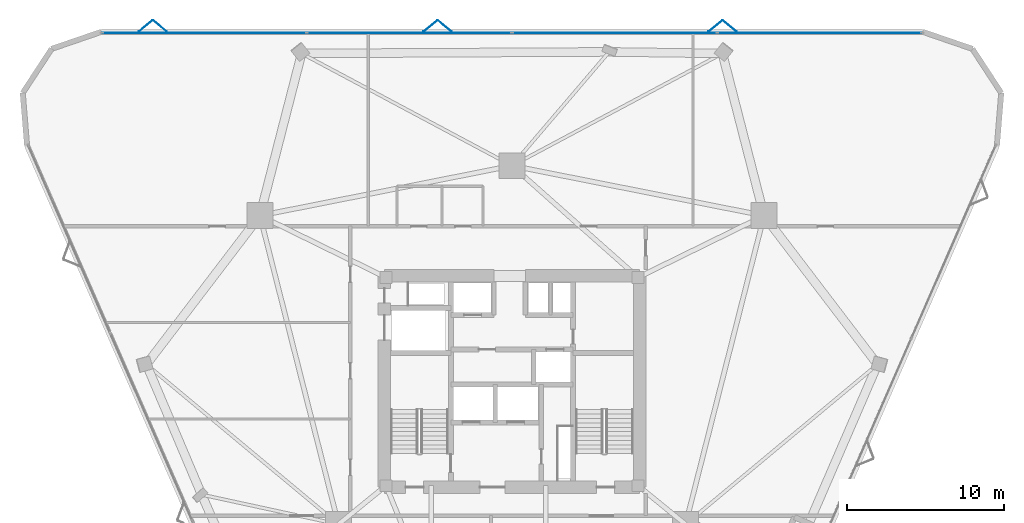
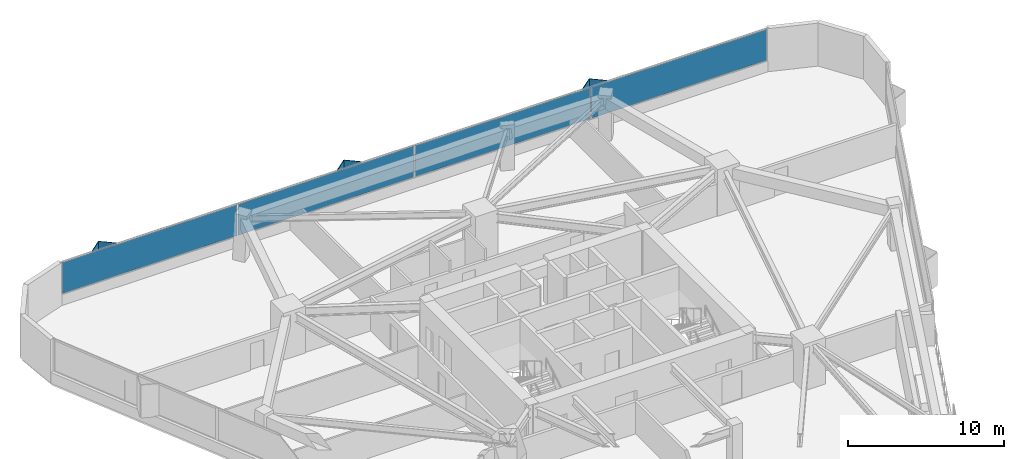
# One storey, part 11 of 14: 10 plates, 1 element without a shape of its own.
"""IFC4 building model written with IfcOpenShell, lengths in metres."""

import ifcopenshell
import ifcopenshell.guid

model = None  # the IFC model being written
_history = None  # IfcOwnerHistory: only IFC2X3 demands one
_inside = {}  # id of a spatial element -> (the spatial element, [elements in it])
_under = {}  # id of a project, library or spatial element -> (it, [spatial elements below it])
_declared = {}  # id of a project -> (the project, [libraries it declares])
_typed = {}  # id of a type object -> (the type object, [elements of that type])
_made_of = {}  # id of a material, layer set ... -> (it, [elements and type objects made of it])


def new_model(schema):
    """Start an empty IFC model of exactly this schema.

    Asked for "IFC4X3", IfcOpenShell would pick the latest addendum, in which some entities
    have other attributes; the version numbers below select the first issue.
    IFC2X3 requires an IfcOwnerHistory on every rooted entity: one is made here for all.
    """
    global model, _history
    if schema == "IFC4X3":
        model = ifcopenshell.file(schema_version=(4, 3, 0, 0))
    else:
        model = ifcopenshell.file(schema=schema)
    _inside.clear()
    _under.clear()
    _declared.clear()
    _typed.clear()
    _made_of.clear()
    _history = None
    if model.schema == "IFC2X3":
        org = make("IfcOrganization", Name="unknown")
        user = make(
            "IfcPersonAndOrganization",
            ThePerson=make("IfcPerson", FamilyName="unknown"),
            TheOrganization=org,
        )
        app = make(
            "IfcApplication",
            ApplicationDeveloper=org,
            Version="unknown",
            ApplicationFullName="unknown",
            ApplicationIdentifier="unknown",
        )
        _history = make(
            "IfcOwnerHistory",
            OwningUser=user,
            OwningApplication=app,
            ChangeAction="ADDED",
            CreationDate=0,
        )
    return model


def make(cls, **values):
    """One entity of the class cls with the attributes given. An attribute that is None is left unset."""
    return model.create_entity(
        cls, **{name: value for name, value in values.items() if value is not None}
    )


def rooted(cls, **values):
    """An entity with a GlobalId (a new one), such as an element, a storey or a relation."""
    return make(cls, GlobalId=ifcopenshell.guid.new(), OwnerHistory=_history, **values)


def si_unit(unit_type, name, prefix=None):
    """IfcSIUnit, for example si_unit("LENGTHUNIT", "METRE", prefix="MILLI")."""
    return make("IfcSIUnit", UnitType=unit_type, Prefix=prefix, Name=name)


def assignment(units):
    """IfcUnitAssignment: the units of a project."""
    return None if units is None else make("IfcUnitAssignment", Units=units)


def point(xyz):
    """IfcCartesianPoint."""
    return None if xyz is None else make("IfcCartesianPoint", Coordinates=xyz)


def direction(xyz):
    """IfcDirection."""
    return None if xyz is None else make("IfcDirection", DirectionRatios=xyz)


def frame(location, z_axis=None, x_axis=None):
    """IfcAxis2Placement3D, a coordinate frame: its origin and axes. An axis left out is left unset."""
    return make(
        "IfcAxis2Placement3D",
        Location=point(location),
        Axis=direction(z_axis),
        RefDirection=direction(x_axis),
    )


def frame_2d(location, x_axis=None):
    """IfcAxis2Placement2D, a coordinate frame in the plane: its origin and x axis."""
    return make(
        "IfcAxis2Placement2D", Location=point(location), RefDirection=direction(x_axis)
    )


def origin():
    """The frame at (0, 0, 0) with its axes left unset."""
    return frame((0.0, 0.0, 0.0))


def origin_2d():
    """The frame at (0, 0) in the plane with its x axis left unset."""
    return frame_2d((0.0, 0.0))


def place(relative_to, where):
    """IfcLocalPlacement: puts the frame where relative to a parent placement (None: the world)."""
    return make(
        "IfcLocalPlacement", PlacementRelTo=relative_to, RelativePlacement=where
    )


def context(
    kind, dimensions, precision=None, world=None, true_north=None, identifier=None
):
    """IfcGeometricRepresentationContext, for example the 3D "Model" context."""
    return make(
        "IfcGeometricRepresentationContext",
        ContextIdentifier=identifier,
        ContextType=kind,
        CoordinateSpaceDimension=dimensions,
        Precision=precision,
        WorldCoordinateSystem=world,
        TrueNorth=true_north,
    )


def subcontext(parent, identifier, kind, view, scale=None):
    """IfcGeometricRepresentationSubContext, for example "Body" below "Model"."""
    return make(
        "IfcGeometricRepresentationSubContext",
        ContextIdentifier=identifier,
        ContextType=kind,
        ParentContext=parent,
        TargetScale=scale,
        TargetView=view,
    )


def project(units=None, contexts=None):
    """IfcProject with its units and contexts."""
    return rooted(
        "IfcProject",
        Name="project",
        RepresentationContexts=contexts,
        UnitsInContext=assignment(units),
    )


def spatial(cls, under=None, at=None, **own):
    """A site, building, storey or space (cls), placed at a placement, below another one or the project."""
    s = rooted(cls, ObjectPlacement=at, **own)
    if under is not None:
        _under.setdefault(under.id(), (under, []))[1].append(s)
    return s


def profile(cls, at=None, kind="AREA", **sizes):
    """A parametric profile (cls). Its sizes go by their IFC names, for example OverallWidth=200.0."""
    return make(cls, ProfileType=kind, Position=at, **sizes)


def rectangle(**sizes):
    """IfcRectangleProfileDef."""
    return profile("IfcRectangleProfileDef", **sizes)


def extrude(swept, where, along, depth):
    """IfcExtrudedAreaSolid: the profile swept, set in the frame where, extruded along a direction by depth."""
    return make(
        "IfcExtrudedAreaSolid",
        SweptArea=swept,
        Position=where,
        ExtrudedDirection=direction(along),
        Depth=depth,
    )


def shape(context_of_items, identifier, shape_type, items):
    """IfcShapeRepresentation: the items that make up one representation, for example the "Body"."""
    return make(
        "IfcShapeRepresentation",
        ContextOfItems=context_of_items,
        RepresentationIdentifier=identifier,
        RepresentationType=shape_type,
        Items=items,
    )


def material(Name=None, Category=None):
    """IfcMaterial."""
    return make("IfcMaterial", Name=Name, Category=Category)


def layer(
    of_material, thickness, ventilated=None, Name=None, Category=None, Priority=None
):
    """IfcMaterialLayer: one layer of a wall or slab, of a material (None: an air gap)."""
    return make(
        "IfcMaterialLayer",
        Material=of_material,
        LayerThickness=thickness,
        IsVentilated=ventilated,
        Name=Name,
        Category=Category,
        Priority=Priority,
    )


def layer_set(layers, Name=None):
    """IfcMaterialLayerSet."""
    return make("IfcMaterialLayerSet", MaterialLayers=layers, LayerSetName=Name)


def made_of(thing, what):
    """Note that an element or type object is made of a material, layer set ...; save() writes the relation."""
    if what is not None:
        _made_of.setdefault(what.id(), (what, []))[1].append(thing)
    return thing


def type_object(cls, material=None, **own):
    """A type object (cls), such as IfcWallType, which elements share."""
    return made_of(rooted(cls, **own), material)


def element(
    cls,
    number,
    at=None,
    inside=None,
    cuts=None,
    type_object=None,
    material=None,
    context=None,
    identifier="Body",
    shape_type=None,
    held_by="IfcProductDefinitionShape",
    body=None,
    shapes=None,
    **own,
):
    """One element of the class cls, such as IfcWall. Its Tag is "e" and its number.

    at: its placement. inside: the storey or other place that contains it. cuts: it is an
    opening in that element (IfcRelVoidsElement). A single representation is given by context,
    identifier, shape_type and body (its items); several are given by shapes. held_by: the class
    of the entity that holds the representations. save() writes the other relations.
    """
    e = rooted(cls, Tag="e%d" % number, ObjectPlacement=at, **own)
    if body is not None:
        shapes = [shape(context, identifier, shape_type, body)]
    if shapes is not None:
        e.Representation = make(held_by, Representations=shapes)
    if inside is not None:
        _inside.setdefault(inside.id(), (inside, []))[1].append(e)
    if cuts is not None:
        rooted(
            "IfcRelVoidsElement", RelatingBuildingElement=cuts, RelatedOpeningElement=e
        )
    if type_object is not None:
        _typed.setdefault(type_object.id(), (type_object, []))[1].append(e)
    return made_of(e, material)


def aggregate(whole, parts):
    """IfcRelAggregates: a whole, such as a stair, and the parts it consists of."""
    return rooted("IfcRelAggregates", RelatingObject=whole, RelatedObjects=parts)


def save(model, path):
    """Write the relations noted so far, then the file.

    IfcRelAggregates (storeys below a building ...), IfcRelContainedInSpatialStructure (elements
    in a storey), IfcRelDefinesByType, IfcRelAssociatesMaterial and IfcRelDeclares: one each for
    every whole, place, type object, material and project.
    """
    for whole, parts in _under.values():
        aggregate(whole, parts)
    for where, things in _inside.values():
        rooted(
            "IfcRelContainedInSpatialStructure",
            RelatedElements=things,
            RelatingStructure=where,
        )
    for kind, things in _typed.values():
        rooted("IfcRelDefinesByType", RelatedObjects=things, RelatingType=kind)
    for what, things in _made_of.values():
        rooted("IfcRelAssociatesMaterial", RelatedObjects=things, RelatingMaterial=what)
    for by, libraries in _declared.values():
        rooted("IfcRelDeclares", RelatingContext=by, RelatedDefinitions=libraries)
    model.write(path)


model = new_model("IFC4")

# Units and contexts
model_context = context("Model", 3, precision=1e-05, world=origin(), true_north=direction((0.0, 1.0)))
body_context = subcontext(model_context, "Body", "Model", "MODEL_VIEW")
ifc_project = project(units=[si_unit("LENGTHUNIT", "METRE"), si_unit("AREAUNIT", "SQUARE_METRE"), si_unit("VOLUMEUNIT", "CUBIC_METRE"), si_unit("PLANEANGLEUNIT", "RADIAN"), si_unit("MASSUNIT", "GRAM", prefix="KILO")], contexts=[model_context])

# Site, building, storey
site_placement = place(None, origin())
site = spatial("IfcSite", under=ifc_project, at=site_placement, CompositionType="ELEMENT")
building_placement = place(site_placement, origin())
building = spatial("IfcBuilding", under=site, at=building_placement, Name="Talyreon Biosciences Tower", CompositionType="ELEMENT")
storey_placement = place(building_placement, frame((0.0, 0.0, 96.89990234375)))
storey = spatial("IfcBuildingStorey", under=building, at=storey_placement, Name="L25", CompositionType="ELEMENT", Elevation=96.89990234375)

# Curtain wall, plates
ifc_material_1 = material(Name="Thermally broken aluminium and low-E glazing", Category="aluminium")
ifc_layer_1 = layer(ifc_material_1, 0.205078125)
ifc_layer_set_1 = layer_set([ifc_layer_1], Name="Thermally broken aluminium and low-E glazing")
curtain_wall_type = type_object("IfcCurtainWallType", Name="CurtainWall_SkyGardenLoggia", PredefinedType="NOTDEFINED", material=ifc_layer_set_1)
curtain_wall_placement = place(storey_placement, origin())
curtain_wall = element("IfcCurtainWall", 1, at=curtain_wall_placement, inside=storey, type_object=curtain_wall_type, Name="L25 Unitised Curtain Wall FCW-L25-03", PredefinedType="NOTDEFINED")
ifc_material_2 = material(Name="Acoustic laminated low-E insulated glazing", Category="glass")
ifc_layer_2 = layer(ifc_material_2, 0.0380859375)
ifc_layer_set_2 = layer_set([ifc_layer_2], Name="Acoustic laminated low-E insulated glazing")
plate_type_1 = type_object("IfcPlateType", Name="CWGlazingPanel_38", PredefinedType="CURTAIN_PANEL", material=ifc_layer_set_2)
plate_1_placement = place(storey_placement, frame((46.354248046875, 90.2734375, 0.875), z_axis=(0.0, 0.0, 1.0), x_axis=(1.0, 0.0, 0.0)))
plate_1 = element("IfcPlate", 2, at=plate_1_placement, type_object=plate_type_1, Name="CW7 panel 1.1", PredefinedType="CURTAIN_PANEL", context=body_context, shape_type="SweptSolid", body=[
    extrude(rectangle(XDim=12.9970703125, YDim=0.0380859375, at=origin_2d()), origin(), (0.0, 0.0, 1.0), 2.43505859375),
])
plate_2_placement = place(storey_placement, frame((59.445068359375, 90.2734375, 0.875), z_axis=(0.0, 0.0, 1.0), x_axis=(1.0, 0.0, 0.0)))
plate_2 = element("IfcPlate", 3, at=plate_2_placement, type_object=plate_type_1, Name="CW7 panel 2.1", PredefinedType="CURTAIN_PANEL", context=body_context, shape_type="SweptSolid", body=[
    extrude(rectangle(XDim=13.03466796875, YDim=0.0380859375, at=origin_2d()), origin(), (0.0, 0.0, 1.0), 2.43505859375),
])
plate_3_placement = place(storey_placement, frame((72.554931640625, 90.2734375, 0.875), z_axis=(0.0, 0.0, 1.0), x_axis=(1.0, 0.0, 0.0)))
plate_3 = element("IfcPlate", 4, at=plate_3_placement, type_object=plate_type_1, Name="CW7 panel 3.1", PredefinedType="CURTAIN_PANEL", context=body_context, shape_type="SweptSolid", body=[
    extrude(rectangle(XDim=13.03466796875, YDim=0.0380859375, at=origin_2d()), origin(), (0.0, 0.0, 1.0), 2.43505859375),
])
plate_4_placement = place(storey_placement, frame((85.645751953125, 90.2734375, 0.875), z_axis=(0.0, 0.0, 1.0), x_axis=(1.0, 0.0, 0.0)))
plate_4 = element("IfcPlate", 5, at=plate_4_placement, type_object=plate_type_1, Name="CW7 panel 4.1", PredefinedType="CURTAIN_PANEL", context=body_context, shape_type="SweptSolid", body=[
    extrude(rectangle(XDim=12.9970703125, YDim=0.0380859375, at=origin_2d()), origin(), (0.0, 0.0, 1.0), 2.43505859375),
])
aggregate(curtain_wall, [plate_1, plate_2, plate_3, plate_4])

# Plates
ifc_material_3 = material(Name="Ivory GFRC sunshade panel", Category="concrete")
ifc_layer_3 = layer(ifc_material_3, 0.044921875)
ifc_layer_set_3 = layer_set([ifc_layer_3], Name="Ivory GFRC sunshade panel")
plate_type_2 = type_object("IfcPlateType", Name="FoldedVSunshade_NorthFace_SUNSHADE", PredefinedType="USERDEFINED", material=ifc_layer_set_3)
for number, where, z_axis, x_axis, name in (
    (6, (42.6005859375, 90.71337890625, 0.7900390625), (0.0, 0.0, 1.0), (0.771624583388, 0.636078220278, 0.0), "L25 Folded V-Sunshade Panel 03.01L"),
    (7, (43.500732421875, 90.71337890625, 0.7900390625), (0.0, 0.0, 1.0), (0.771624583388, -0.636078220278, 0.0), "L25 Folded V-Sunshade Panel 03.01R"),
    (8, (60.80078125, 90.71337890625, 0.7900390625), (0.0, 0.0, 1.0), (0.771624583388, 0.636078220278, 0.0), "L25 Folded V-Sunshade Panel 03.02L"),
    (9, (61.70068359375, 90.71337890625, 0.7900390625), (0.0, 0.0, 1.0), (0.771624583388, -0.636078220278, 0.0), "L25 Folded V-Sunshade Panel 03.02R"),
    (10, (79.000732421875, 90.71337890625, 0.7900390625), (0.0, 0.0, 1.0), (0.771624583388, 0.636078220278, 0.0), "L25 Folded V-Sunshade Panel 03.03L"),
    (11, (79.900634765625, 90.71337890625, 0.7900390625), (0.0, 0.0, 1.0), (0.771624583388, -0.636078220278, 0.0), "L25 Folded V-Sunshade Panel 03.03R"),
):
    element("IfcPlate", number, at=place(storey_placement, frame(where, z_axis=z_axis, x_axis=x_axis)), inside=storey, type_object=plate_type_2, Name=name, ObjectType="SUNSHADE", PredefinedType="USERDEFINED", context=body_context, shape_type="SweptSolid", body=[
        extrude(rectangle(XDim=1.14990234375, YDim=0.044921875, at=origin_2d()), origin(), (0.0, 0.0, 1.0), 2.5849609375),
    ])

save(model, "model.ifc")
